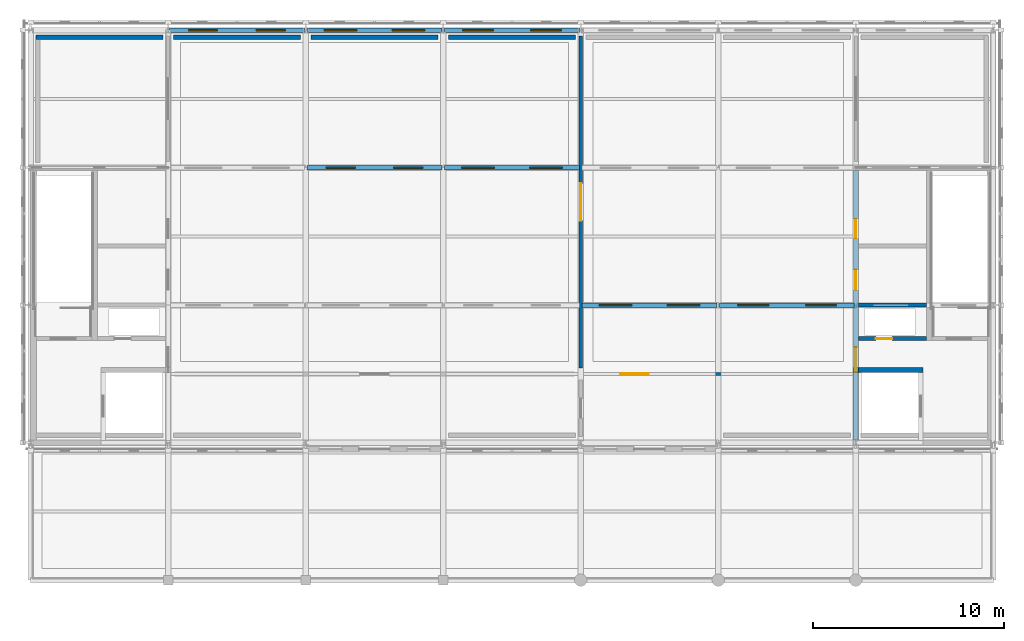
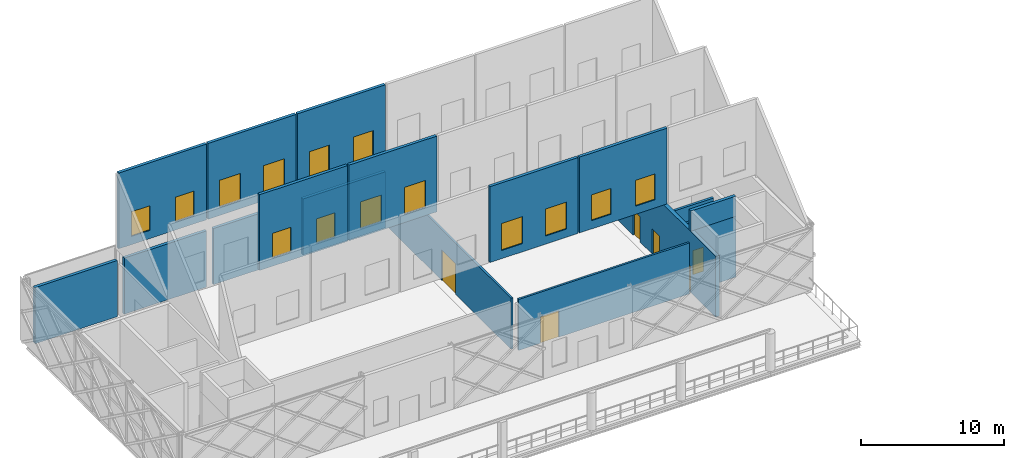
# One storey, part 28 of 31: 18 walls, 14 windows, 6 doors, 20 openings.
"""IFC4 building model written with IfcOpenShell, lengths in metres."""

from ifc_helpers import new_model, si_unit, direction, frame, frame_2d, origin, place, context, subcontext, project, spatial, rectangle, extrude, material, layer, layer_set, type_object, element, fill, save


model = new_model("IFC4")

# Units and contexts
model_context = context("Model", 3, precision=1e-05, world=origin(), true_north=direction((0.0, 1.0)))
body_context = subcontext(model_context, "Body", "Model", "MODEL_VIEW")
ifc_project = project(units=[si_unit("LENGTHUNIT", "METRE"), si_unit("AREAUNIT", "SQUARE_METRE"), si_unit("VOLUMEUNIT", "CUBIC_METRE"), si_unit("PLANEANGLEUNIT", "RADIAN"), si_unit("MASSUNIT", "GRAM", prefix="KILO")], contexts=[model_context])

# Site, building, storey
site_placement = place(None, origin())
site = spatial("IfcSite", under=ifc_project, at=site_placement, CompositionType="ELEMENT")
building_placement = place(site_placement, origin())
building = spatial("IfcBuilding", under=site, at=building_placement, Name="Zlatovets Crest Museum", CompositionType="ELEMENT")
storey_placement = place(building_placement, frame((0.0, 0.0, 25.199951171875)))
storey = spatial("IfcBuildingStorey", under=building, at=storey_placement, Name="L05", CompositionType="ELEMENT", Elevation=25.199951171875)

# Wall, openings, doors
ifc_material_1 = material(Name="Concrete C35/45", Category="concrete")
ifc_layer_1 = layer(ifc_material_1, 0.300048828125)
ifc_layer_set_1 = layer_set([ifc_layer_1], Name="Concrete C35/45")
wall_type_1 = type_object("IfcWallType", Name="CoreWall_SW01", PredefinedType="SHEAR", material=ifc_layer_set_1)
wall_1_placement = place(storey_placement, frame((100.800048828125, 93.75, 0.0), z_axis=(0.0, 0.0, 1.0), x_axis=(0.0, 1.0, 0.0)))
wall_1 = element("IfcWall", 1, at=wall_1_placement, inside=storey, type_object=wall_type_1, Name="Core C6 L05 Spine Shear Wall", PredefinedType="SHEAR", context=body_context, shape_type="SweptSolid", body=[
    extrude(rectangle(XDim=14.10009765625, YDim=0.300048828125, at=frame_2d((7.050048828125, 0.0))), origin(), (0.0, 0.0, 1.0), 5.179931640625),
])
opening_1_placement = place(wall_1_placement, frame((3.550048828125, 0.0, 0.0)))
opening_1 = element("IfcOpeningElement", 2, at=opening_1_placement, cuts=wall_1, Name="Opening FD-01", PredefinedType="OPENING", context=body_context, shape_type="SweptSolid", body=[
    extrude(rectangle(XDim=1.300048828125, YDim=2.199951171875, at=frame_2d((0.64990234375, 1.10009765625))), frame((0.0, 0.16015625, 0.0), z_axis=(0.0, -1.0, 0.0), x_axis=(1.0, 0.0, 0.0)), (0.0, 0.0, 1.0), 0.320068359375),
])
opening_2_placement = place(wall_1_placement, frame((7.85009765625, 0.0, 0.0)))
opening_2 = element("IfcOpeningElement", 3, at=opening_2_placement, cuts=wall_1, Name="Opening ID-02", PredefinedType="OPENING", context=body_context, shape_type="SweptSolid", body=[
    extrude(rectangle(XDim=1.050048828125, YDim=2.14990234375, at=frame_2d((0.52490234375, 1.074951171875))), frame((0.0, 0.16015625, 0.0), z_axis=(0.0, -1.0, 0.0), x_axis=(1.0, 0.0, 0.0)), (0.0, 0.0, 1.0), 0.320068359375),
])
opening_3_placement = place(wall_1_placement, frame((10.550048828125, 0.0, 0.0)))
opening_3 = element("IfcOpeningElement", 4, at=opening_3_placement, cuts=wall_1, Name="Opening ID-01", PredefinedType="OPENING", context=body_context, shape_type="SweptSolid", body=[
    extrude(rectangle(XDim=1.0, YDim=2.14990234375, at=frame_2d((0.5, 1.074951171875))), frame((0.0, 0.16015625, 0.0), z_axis=(0.0, -1.0, 0.0), x_axis=(1.0, 0.0, 0.0)), (0.0, 0.0, 1.0), 0.320068359375),
])
ifc_material_2 = material(Name="Smoke-sealed steel fire door", Category="steel")
door_type_1 = type_object("IfcDoorType", Name="IntDoor_FD-01", OperationType="NOTDEFINED", PredefinedType="DOOR", material=ifc_material_2)
door_1_placement = place(opening_1_placement, origin())
door_1 = element("IfcDoor", 5, at=door_1_placement, inside=storey, type_object=door_type_1, Name="CDOOR-C6-L05-LOB Core C6 L05 Lobby Fire Door", OperationType="SINGLE_SWING_LEFT", OverallHeight=2.199951171875, OverallWidth=1.300048828125, PredefinedType="DOOR", context=body_context, shape_type="SweptSolid", body=[
    extrude(rectangle(XDim=1.300048828125, YDim=2.199951171875, at=frame_2d((0.64990234375, 1.10009765625))), frame((0.0, 0.02490234375, 0.0), z_axis=(0.0, -1.0, 0.0), x_axis=(1.0, 0.0, 0.0)), (0.0, 0.0, 1.0), 0.050048828125),
])
fill(opening_1, door_1)
ifc_material_3 = material(Name="Solid oak museum room door")
door_type_2 = type_object("IfcDoorType", Name="IntDoor_ID-01", OperationType="NOTDEFINED", PredefinedType="DOOR", material=ifc_material_3)
door_2_placement = place(opening_3_placement, origin())
door_2 = element("IfcDoor", 6, at=door_2_placement, inside=storey, type_object=door_type_2, Name="CDOOR-C6-L05-WC Core C6 L05 Public Restroom Door", OperationType="SINGLE_SWING_RIGHT", OverallHeight=2.14990234375, OverallWidth=1.0, PredefinedType="DOOR", context=body_context, shape_type="SweptSolid", body=[
    extrude(rectangle(XDim=1.0, YDim=2.14990234375, at=frame_2d((0.5, 1.074951171875))), frame((0.0, 0.02490234375, 0.0), z_axis=(0.0, -1.0, 0.0), x_axis=(1.0, 0.0, 0.0)), (0.0, 0.0, 1.0), 0.050048828125),
])
fill(opening_3, door_2)
ifc_material_4 = material(Name="Accessible sanitary room door")
door_type_3 = type_object("IfcDoorType", Name="IntDoor_ID-02", OperationType="NOTDEFINED", PredefinedType="DOOR", material=ifc_material_4)
door_3_placement = place(opening_2_placement, origin())
door_3 = element("IfcDoor", 7, at=door_3_placement, inside=storey, type_object=door_type_3, Name="CDOOR-C6-L05-AWC Core C6 L05 Accessible WC Door", OperationType="SINGLE_SWING_LEFT", OverallHeight=2.14990234375, OverallWidth=1.050048828125, PredefinedType="DOOR", context=body_context, shape_type="SweptSolid", body=[
    extrude(rectangle(XDim=1.050048828125, YDim=2.14990234375, at=frame_2d((0.52490234375, 1.074951171875))), frame((0.0, 0.02490234375, 0.0), z_axis=(0.0, -1.0, 0.0), x_axis=(1.0, 0.0, 0.0)), (0.0, 0.0, 1.0), 0.050048828125),
])
fill(opening_2, door_3)

# Walls
ifc_layer_2 = layer(ifc_material_1, 0.25)
ifc_layer_set_2 = layer_set([ifc_layer_2], Name="Concrete C35/45")
wall_type_2 = type_object("IfcWallType", Name="CoreWall_SW02", PredefinedType="SHEAR", material=ifc_layer_set_2)
wall_2_placement = place(storey_placement, frame((100.949951171875, 97.39990234375, 0.0), z_axis=(0.0, 0.0, 1.0), x_axis=(1.0, 0.0, 0.0)))
element("IfcWall", 8, at=wall_2_placement, inside=storey, type_object=wall_type_2, Name="Core C6 L05 Lift Shaft North Shear Wall", PredefinedType="SHEAR", context=body_context, shape_type="SweptSolid", body=[
    extrude(rectangle(XDim=3.375, YDim=0.25, at=frame_2d((1.6875, 0.0))), origin(), (0.0, 0.0, 1.0), 5.179931640625),
])
wall_3_placement = place(storey_placement, frame((104.324951171875, 97.39990234375, 5.179931640625), z_axis=(0.0, 0.0, 1.0), x_axis=(-1.0, 0.0, 0.0)))
element("IfcWall", 9, at=wall_3_placement, inside=storey, type_object=wall_type_2, Name="Lift FL2 Overrun Wall N", PredefinedType="SHEAR", context=body_context, shape_type="SweptSolid", body=[
    extrude(rectangle(XDim=3.64990234375, YDim=0.25, at=frame_2d((1.824951171875, 0.0))), origin(), (0.0, 0.0, 1.0), 1.72021484375),
])
ifc_material_5 = material(Name="Insulated gallery conservation liner wall", Category="concrete")
ifc_layer_3 = layer(ifc_material_5, 0.300048828125)
ifc_layer_set_3 = layer_set([ifc_layer_3], Name="Insulated gallery conservation liner wall")
wall_type_3 = type_object("IfcWallType", Name="ExtWall_EW-02", PredefinedType="STANDARD", material=ifc_layer_set_3)
wall_4_placement = place(storey_placement, frame((86.1201171875, 114.820068359375, 0.0), z_axis=(0.0, 0.0, 1.0), x_axis=(-1.0, 0.0, 0.0)))
element("IfcWall", 10, at=wall_4_placement, inside=storey, type_object=wall_type_3, Name="V1 L05 Interior Conservation Gallery Liner Wall", PredefinedType="STANDARD", context=body_context, shape_type="SweptSolid", body=[
    extrude(rectangle(XDim=6.64013671875, YDim=0.239990234375, at=frame_2d((3.320068359375, 0.0))), origin(), (0.0, 0.0, 1.0), 4.780029296875),
])
for number, where, z_axis, x_axis, name in (
    (11, (78.919921875, 114.820068359375, 0.0), (0.0, 0.0, 1.0), (-1.0, 0.0, 0.0), "V1 L05 Interior Conservation Gallery Liner Wall"),
    (12, (71.719970703125, 114.820068359375, 0.0), (0.0, 0.0, 1.0), (-1.0, 0.0, 0.0), "V1 L05 Interior Conservation Gallery Liner Wall"),
):
    element("IfcWall", number, at=place(storey_placement, frame(where, z_axis=z_axis, x_axis=x_axis)), inside=storey, type_object=wall_type_3, Name=name, PredefinedType="STANDARD", context=body_context, shape_type="SweptSolid", body=[
        extrude(rectangle(XDim=6.639892578125, YDim=0.239990234375, at=frame_2d((3.31982421875, 0.0))), origin(), (0.0, 0.0, 1.0), 4.780029296875),
    ])
wall_5_placement = place(storey_placement, frame((64.52001953125, 114.820068359375, 0.0), z_axis=(0.0, 0.0, 1.0), x_axis=(-1.0, 0.0, 0.0)))
element("IfcWall", 13, at=wall_5_placement, inside=storey, type_object=wall_type_3, Name="V1 L05 Interior Conservation Gallery Liner Wall", PredefinedType="STANDARD", context=body_context, shape_type="SweptSolid", body=[
    extrude(rectangle(XDim=6.64013671875, YDim=0.239990234375, at=frame_2d((3.320068359375, 0.0))), origin(), (0.0, 0.0, 1.0), 4.780029296875),
])

# Wall, openings, windows
ifc_material_6 = material(Name="Copper-zinc insulated clerestory and vault tympanum wall", Category="steel")
ifc_layer_4 = layer(ifc_material_6, 0.260009765625)
ifc_layer_set_4 = layer_set([ifc_layer_4], Name="Copper-zinc insulated clerestory and vault tympanum wall")
wall_type_4 = type_object("IfcWallType", Name="ExtWall_EW-04", PredefinedType="STANDARD", material=ifc_layer_set_4)
wall_6_placement = place(storey_placement, frame((93.5400390625, 100.800048828125, 5.420166015625), z_axis=(0.0, 0.0, 1.0), x_axis=(-1.0, 0.0, 0.0)))
wall_6 = element("IfcWall", 14, at=wall_6_placement, inside=storey, type_object=wall_type_4, Name="V1 Tooth 1 North-Light Clerestory Wall Bay 4", PredefinedType="STANDARD", context=body_context, shape_type="SweptSolid", body=[
    extrude(rectangle(XDim=7.080078125, YDim=0.239990234375, at=frame_2d((3.5400390625, 0.0))), origin(), (0.0, 0.0, 1.0), 6.4599609375),
])
opening_4_placement = place(wall_6_placement, frame((0.919921875, 0.0, 0.699951171875)))
opening_4 = element("IfcOpeningElement", 15, at=opening_4_placement, cuts=wall_6, Name="Opening RL-NL5", PredefinedType="OPENING", context=body_context, shape_type="SweptSolid", body=[
    extrude(rectangle(XDim=1.699951171875, YDim=2.300048828125, at=frame_2d((0.85009765625, 1.14990234375))), frame((0.0, 0.1298828125, 0.0), z_axis=(0.0, -1.0, 0.0), x_axis=(1.0, 0.0, 0.0)), (0.0, 0.0, 1.0), 0.260009765625),
])
opening_5_placement = place(wall_6_placement, frame((4.4599609375, 0.0, 0.699951171875)))
opening_5 = element("IfcOpeningElement", 16, at=opening_5_placement, cuts=wall_6, Name="Opening RL-NL5", PredefinedType="OPENING", context=body_context, shape_type="SweptSolid", body=[
    extrude(rectangle(XDim=1.699951171875, YDim=2.300048828125, at=frame_2d((0.85009765625, 1.14990234375))), frame((0.0, 0.1298828125, 0.0), z_axis=(0.0, -1.0, 0.0), x_axis=(1.0, 0.0, 0.0)), (0.0, 0.0, 1.0), 0.260009765625),
])
ifc_material_7 = material(Name="Bronze-anodised aluminium frame with low-E triple glass", Category="aluminium")
window_type_1 = type_object("IfcWindowType", Name="Win_RL-NL5", PartitioningType="SINGLE_PANEL", PredefinedType="SKYLIGHT", material=ifc_material_7)
window_1_placement = place(opening_4_placement, origin())
window_1 = element("IfcWindow", 17, at=window_1_placement, inside=storey, type_object=window_type_1, Name="Rooflight V1 Tooth 1 Bay 4.1", OverallHeight=2.300048828125, OverallWidth=1.699951171875, PartitioningType="SINGLE_PANEL", PredefinedType="SKYLIGHT", context=body_context, shape_type="SweptSolid", body=[
    extrude(rectangle(XDim=1.699951171875, YDim=2.300048828125, at=frame_2d((0.85009765625, 1.14990234375))), frame((0.0, 0.030029296875, 0.0), z_axis=(0.0, -1.0, 0.0), x_axis=(1.0, 0.0, 0.0)), (0.0, 0.0, 1.0), 0.06005859375),
])
fill(opening_4, window_1)
window_2_placement = place(opening_5_placement, origin())
window_2 = element("IfcWindow", 18, at=window_2_placement, inside=storey, type_object=window_type_1, Name="Rooflight V1 Tooth 1 Bay 4.2", OverallHeight=2.300048828125, OverallWidth=1.699951171875, PartitioningType="SINGLE_PANEL", PredefinedType="SKYLIGHT", context=body_context, shape_type="SweptSolid", body=[
    extrude(rectangle(XDim=1.699951171875, YDim=2.300048828125, at=frame_2d((0.85009765625, 1.14990234375))), frame((0.0, 0.030029296875, 0.0), z_axis=(0.0, -1.0, 0.0), x_axis=(1.0, 0.0, 0.0)), (0.0, 0.0, 1.0), 0.06005859375),
])
fill(opening_5, window_2)

wall_7_placement = place(storey_placement, frame((100.739990234375, 100.800048828125, 5.420166015625), z_axis=(0.0, 0.0, 1.0), x_axis=(-1.0, 0.0, 0.0)))
wall_7 = element("IfcWall", 19, at=wall_7_placement, inside=storey, type_object=wall_type_4, Name="V1 Tooth 1 North-Light Clerestory Wall Bay 5", PredefinedType="STANDARD", context=body_context, shape_type="SweptSolid", body=[
    extrude(rectangle(XDim=7.080078125, YDim=0.239990234375, at=frame_2d((3.5400390625, 0.0))), origin(), (0.0, 0.0, 1.0), 6.4599609375),
])
opening_6_placement = place(wall_7_placement, frame((0.969970703125, 0.0, 0.699951171875)))
opening_6 = element("IfcOpeningElement", 20, at=opening_6_placement, cuts=wall_7, Name="Opening RL-NL1", PredefinedType="OPENING", context=body_context, shape_type="SweptSolid", body=[
    extrude(rectangle(XDim=1.60009765625, YDim=2.199951171875, at=frame_2d((0.800048828125, 1.10009765625))), frame((0.0, 0.1298828125, 0.0), z_axis=(0.0, -1.0, 0.0), x_axis=(1.0, 0.0, 0.0)), (0.0, 0.0, 1.0), 0.260009765625),
])
opening_7_placement = place(wall_7_placement, frame((4.510009765625, 0.0, 0.699951171875)))
opening_7 = element("IfcOpeningElement", 21, at=opening_7_placement, cuts=wall_7, Name="Opening RL-NL1", PredefinedType="OPENING", context=body_context, shape_type="SweptSolid", body=[
    extrude(rectangle(XDim=1.60009765625, YDim=2.199951171875, at=frame_2d((0.800048828125, 1.10009765625))), frame((0.0, 0.1298828125, 0.0), z_axis=(0.0, -1.0, 0.0), x_axis=(1.0, 0.0, 0.0)), (0.0, 0.0, 1.0), 0.260009765625),
])
window_type_2 = type_object("IfcWindowType", Name="Win_RL-NL1", PartitioningType="SINGLE_PANEL", PredefinedType="SKYLIGHT", material=ifc_material_7)
window_3_placement = place(opening_6_placement, origin())
window_3 = element("IfcWindow", 22, at=window_3_placement, inside=storey, type_object=window_type_2, Name="Rooflight V1 Tooth 1 Bay 5.1", OverallHeight=2.199951171875, OverallWidth=1.60009765625, PartitioningType="SINGLE_PANEL", PredefinedType="SKYLIGHT", context=body_context, shape_type="SweptSolid", body=[
    extrude(rectangle(XDim=1.60009765625, YDim=2.199951171875, at=frame_2d((0.800048828125, 1.10009765625))), frame((0.0, 0.030029296875, 0.0), z_axis=(0.0, -1.0, 0.0), x_axis=(1.0, 0.0, 0.0)), (0.0, 0.0, 1.0), 0.06005859375),
])
fill(opening_6, window_3)
window_4_placement = place(opening_7_placement, origin())
window_4 = element("IfcWindow", 23, at=window_4_placement, inside=storey, type_object=window_type_2, Name="Rooflight V1 Tooth 1 Bay 5.2", OverallHeight=2.199951171875, OverallWidth=1.60009765625, PartitioningType="SINGLE_PANEL", PredefinedType="SKYLIGHT", context=body_context, shape_type="SweptSolid", body=[
    extrude(rectangle(XDim=1.60009765625, YDim=2.199951171875, at=frame_2d((0.800048828125, 1.10009765625))), frame((0.0, 0.030029296875, 0.0), z_axis=(0.0, -1.0, 0.0), x_axis=(1.0, 0.0, 0.0)), (0.0, 0.0, 1.0), 0.06005859375),
])
fill(opening_7, window_4)

wall_8_placement = place(storey_placement, frame((79.139892578125, 108.0, 5.420166015625), z_axis=(0.0, 0.0, 1.0), x_axis=(-1.0, 0.0, 0.0)))
wall_8 = element("IfcWall", 24, at=wall_8_placement, inside=storey, type_object=wall_type_4, Name="V1 Tooth 2 North-Light Clerestory Wall Bay 2", PredefinedType="STANDARD", context=body_context, shape_type="SweptSolid", body=[
    extrude(rectangle(XDim=7.079833984375, YDim=0.239990234375, at=frame_2d((3.5400390625, 0.0))), origin(), (0.0, 0.0, 1.0), 6.4599609375),
])
opening_8_placement = place(wall_8_placement, frame((1.02001953125, 0.0, 0.699951171875)))
opening_8 = element("IfcOpeningElement", 25, at=opening_8_placement, cuts=wall_8, Name="Opening RL-NL4", PredefinedType="OPENING", context=body_context, shape_type="SweptSolid", body=[
    extrude(rectangle(XDim=1.5, YDim=2.10009765625, at=frame_2d((0.75, 1.050048828125))), frame((0.0, 0.1298828125, 0.0), z_axis=(0.0, -1.0, 0.0), x_axis=(1.0, 0.0, 0.0)), (0.0, 0.0, 1.0), 0.260009765625),
])
opening_9_placement = place(wall_8_placement, frame((4.56005859375, 0.0, 0.699951171875)))
opening_9 = element("IfcOpeningElement", 26, at=opening_9_placement, cuts=wall_8, Name="Opening RL-NL4", PredefinedType="OPENING", context=body_context, shape_type="SweptSolid", body=[
    extrude(rectangle(XDim=1.5, YDim=2.10009765625, at=frame_2d((0.75, 1.050048828125))), frame((0.0, 0.1298828125, 0.0), z_axis=(0.0, -1.0, 0.0), x_axis=(1.0, 0.0, 0.0)), (0.0, 0.0, 1.0), 0.260009765625),
])
window_type_3 = type_object("IfcWindowType", Name="Win_RL-NL4", PartitioningType="SINGLE_PANEL", PredefinedType="SKYLIGHT", material=ifc_material_7)
window_5_placement = place(opening_8_placement, origin())
window_5 = element("IfcWindow", 27, at=window_5_placement, inside=storey, type_object=window_type_3, Name="Rooflight V1 Tooth 2 Bay 2.1", OverallHeight=2.10009765625, OverallWidth=1.5, PartitioningType="SINGLE_PANEL", PredefinedType="SKYLIGHT", context=body_context, shape_type="SweptSolid", body=[
    extrude(rectangle(XDim=1.5, YDim=2.10009765625, at=frame_2d((0.75, 1.050048828125))), frame((0.0, 0.030029296875, 0.0), z_axis=(0.0, -1.0, 0.0), x_axis=(1.0, 0.0, 0.0)), (0.0, 0.0, 1.0), 0.06005859375),
])
fill(opening_8, window_5)
window_6_placement = place(opening_9_placement, origin())
window_6 = element("IfcWindow", 28, at=window_6_placement, inside=storey, type_object=window_type_3, Name="Rooflight V1 Tooth 2 Bay 2.2", OverallHeight=2.10009765625, OverallWidth=1.5, PartitioningType="SINGLE_PANEL", PredefinedType="SKYLIGHT", context=body_context, shape_type="SweptSolid", body=[
    extrude(rectangle(XDim=1.5, YDim=2.10009765625, at=frame_2d((0.75, 1.050048828125))), frame((0.0, 0.030029296875, 0.0), z_axis=(0.0, -1.0, 0.0), x_axis=(1.0, 0.0, 0.0)), (0.0, 0.0, 1.0), 0.06005859375),
])
fill(opening_9, window_6)

wall_9_placement = place(storey_placement, frame((86.340087890625, 108.0, 5.420166015625), z_axis=(0.0, 0.0, 1.0), x_axis=(-1.0, 0.0, 0.0)))
wall_9 = element("IfcWall", 29, at=wall_9_placement, inside=storey, type_object=wall_type_4, Name="V1 Tooth 2 North-Light Clerestory Wall Bay 3", PredefinedType="STANDARD", context=body_context, shape_type="SweptSolid", body=[
    extrude(rectangle(XDim=7.080078125, YDim=0.239990234375, at=frame_2d((3.5400390625, 0.0))), origin(), (0.0, 0.0, 1.0), 6.4599609375),
])
opening_10_placement = place(wall_9_placement, frame((0.919921875, 0.0, 0.699951171875)))
opening_10 = element("IfcOpeningElement", 30, at=opening_10_placement, cuts=wall_9, Name="Opening RL-NL5", PredefinedType="OPENING", context=body_context, shape_type="SweptSolid", body=[
    extrude(rectangle(XDim=1.699951171875, YDim=2.300048828125, at=frame_2d((0.85009765625, 1.14990234375))), frame((0.0, 0.1298828125, 0.0), z_axis=(0.0, -1.0, 0.0), x_axis=(1.0, 0.0, 0.0)), (0.0, 0.0, 1.0), 0.260009765625),
])
opening_11_placement = place(wall_9_placement, frame((4.4599609375, 0.0, 0.699951171875)))
opening_11 = element("IfcOpeningElement", 31, at=opening_11_placement, cuts=wall_9, Name="Opening RL-NL5", PredefinedType="OPENING", context=body_context, shape_type="SweptSolid", body=[
    extrude(rectangle(XDim=1.699951171875, YDim=2.300048828125, at=frame_2d((0.85009765625, 1.14990234375))), frame((0.0, 0.1298828125, 0.0), z_axis=(0.0, -1.0, 0.0), x_axis=(1.0, 0.0, 0.0)), (0.0, 0.0, 1.0), 0.260009765625),
])
window_7_placement = place(opening_10_placement, origin())
window_7 = element("IfcWindow", 32, at=window_7_placement, inside=storey, type_object=window_type_1, Name="Rooflight V1 Tooth 2 Bay 3.1", OverallHeight=2.300048828125, OverallWidth=1.699951171875, PartitioningType="SINGLE_PANEL", PredefinedType="SKYLIGHT", context=body_context, shape_type="SweptSolid", body=[
    extrude(rectangle(XDim=1.699951171875, YDim=2.300048828125, at=frame_2d((0.85009765625, 1.14990234375))), frame((0.0, 0.030029296875, 0.0), z_axis=(0.0, -1.0, 0.0), x_axis=(1.0, 0.0, 0.0)), (0.0, 0.0, 1.0), 0.06005859375),
])
fill(opening_10, window_7)
window_8_placement = place(opening_11_placement, origin())
window_8 = element("IfcWindow", 33, at=window_8_placement, inside=storey, type_object=window_type_1, Name="Rooflight V1 Tooth 2 Bay 3.2", OverallHeight=2.300048828125, OverallWidth=1.699951171875, PartitioningType="SINGLE_PANEL", PredefinedType="SKYLIGHT", context=body_context, shape_type="SweptSolid", body=[
    extrude(rectangle(XDim=1.699951171875, YDim=2.300048828125, at=frame_2d((0.85009765625, 1.14990234375))), frame((0.0, 0.030029296875, 0.0), z_axis=(0.0, -1.0, 0.0), x_axis=(1.0, 0.0, 0.0)), (0.0, 0.0, 1.0), 0.06005859375),
])
fill(opening_11, window_8)

wall_10_placement = place(storey_placement, frame((71.93994140625, 115.199951171875, 5.420166015625), z_axis=(0.0, 0.0, 1.0), x_axis=(-1.0, 0.0, 0.0)))
wall_10 = element("IfcWall", 34, at=wall_10_placement, inside=storey, type_object=wall_type_4, Name="V1 Tooth 3 North-Light Clerestory Wall Bay 1", PredefinedType="STANDARD", context=body_context, shape_type="SweptSolid", body=[
    extrude(rectangle(XDim=7.079833984375, YDim=0.239990234375, at=frame_2d((3.5400390625, 0.0))), origin(), (0.0, 0.0, 1.0), 6.4599609375),
])
opening_12_placement = place(wall_10_placement, frame((1.02001953125, 0.0, 0.699951171875)))
opening_12 = element("IfcOpeningElement", 35, at=opening_12_placement, cuts=wall_10, Name="Opening RL-NL4", PredefinedType="OPENING", context=body_context, shape_type="SweptSolid", body=[
    extrude(rectangle(XDim=1.5, YDim=2.10009765625, at=frame_2d((0.75, 1.050048828125))), frame((0.0, 0.1298828125, 0.0), z_axis=(0.0, -1.0, 0.0), x_axis=(1.0, 0.0, 0.0)), (0.0, 0.0, 1.0), 0.260009765625),
])
opening_13_placement = place(wall_10_placement, frame((4.56005859375, 0.0, 0.699951171875)))
opening_13 = element("IfcOpeningElement", 36, at=opening_13_placement, cuts=wall_10, Name="Opening RL-NL4", PredefinedType="OPENING", context=body_context, shape_type="SweptSolid", body=[
    extrude(rectangle(XDim=1.5, YDim=2.10009765625, at=frame_2d((0.75, 1.050048828125))), frame((0.0, 0.1298828125, 0.0), z_axis=(0.0, -1.0, 0.0), x_axis=(1.0, 0.0, 0.0)), (0.0, 0.0, 1.0), 0.260009765625),
])
window_9_placement = place(opening_12_placement, origin())
window_9 = element("IfcWindow", 37, at=window_9_placement, inside=storey, type_object=window_type_3, Name="Rooflight V1 Tooth 3 Bay 1.1", OverallHeight=2.10009765625, OverallWidth=1.5, PartitioningType="SINGLE_PANEL", PredefinedType="SKYLIGHT", context=body_context, shape_type="SweptSolid", body=[
    extrude(rectangle(XDim=1.5, YDim=2.10009765625, at=frame_2d((0.75, 1.050048828125))), frame((0.0, 0.030029296875, 0.0), z_axis=(0.0, -1.0, 0.0), x_axis=(1.0, 0.0, 0.0)), (0.0, 0.0, 1.0), 0.06005859375),
])
fill(opening_12, window_9)
window_10_placement = place(opening_13_placement, origin())
window_10 = element("IfcWindow", 38, at=window_10_placement, inside=storey, type_object=window_type_3, Name="Rooflight V1 Tooth 3 Bay 1.2", OverallHeight=2.10009765625, OverallWidth=1.5, PartitioningType="SINGLE_PANEL", PredefinedType="SKYLIGHT", context=body_context, shape_type="SweptSolid", body=[
    extrude(rectangle(XDim=1.5, YDim=2.10009765625, at=frame_2d((0.75, 1.050048828125))), frame((0.0, 0.030029296875, 0.0), z_axis=(0.0, -1.0, 0.0), x_axis=(1.0, 0.0, 0.0)), (0.0, 0.0, 1.0), 0.06005859375),
])
fill(opening_13, window_10)

wall_11_placement = place(storey_placement, frame((79.139892578125, 115.199951171875, 5.420166015625), z_axis=(0.0, 0.0, 1.0), x_axis=(-1.0, 0.0, 0.0)))
wall_11 = element("IfcWall", 39, at=wall_11_placement, inside=storey, type_object=wall_type_4, Name="V1 Tooth 3 North-Light Clerestory Wall Bay 2", PredefinedType="STANDARD", context=body_context, shape_type="SweptSolid", body=[
    extrude(rectangle(XDim=7.079833984375, YDim=0.239990234375, at=frame_2d((3.5400390625, 0.0))), origin(), (0.0, 0.0, 1.0), 6.4599609375),
])
opening_14_placement = place(wall_11_placement, frame((0.919921875, 0.0, 0.699951171875)))
opening_14 = element("IfcOpeningElement", 40, at=opening_14_placement, cuts=wall_11, Name="Opening RL-NL5", PredefinedType="OPENING", context=body_context, shape_type="SweptSolid", body=[
    extrude(rectangle(XDim=1.699951171875, YDim=2.300048828125, at=frame_2d((0.85009765625, 1.14990234375))), frame((0.0, 0.1298828125, 0.0), z_axis=(0.0, -1.0, 0.0), x_axis=(1.0, 0.0, 0.0)), (0.0, 0.0, 1.0), 0.260009765625),
])
opening_15_placement = place(wall_11_placement, frame((4.4599609375, 0.0, 0.699951171875)))
opening_15 = element("IfcOpeningElement", 41, at=opening_15_placement, cuts=wall_11, Name="Opening RL-NL5", PredefinedType="OPENING", context=body_context, shape_type="SweptSolid", body=[
    extrude(rectangle(XDim=1.699951171875, YDim=2.300048828125, at=frame_2d((0.85009765625, 1.14990234375))), frame((0.0, 0.1298828125, 0.0), z_axis=(0.0, -1.0, 0.0), x_axis=(1.0, 0.0, 0.0)), (0.0, 0.0, 1.0), 0.260009765625),
])
window_11_placement = place(opening_14_placement, origin())
window_11 = element("IfcWindow", 42, at=window_11_placement, inside=storey, type_object=window_type_1, Name="Rooflight V1 Tooth 3 Bay 2.1", OverallHeight=2.300048828125, OverallWidth=1.699951171875, PartitioningType="SINGLE_PANEL", PredefinedType="SKYLIGHT", context=body_context, shape_type="SweptSolid", body=[
    extrude(rectangle(XDim=1.699951171875, YDim=2.300048828125, at=frame_2d((0.85009765625, 1.14990234375))), frame((0.0, 0.030029296875, 0.0), z_axis=(0.0, -1.0, 0.0), x_axis=(1.0, 0.0, 0.0)), (0.0, 0.0, 1.0), 0.06005859375),
])
fill(opening_14, window_11)
window_12_placement = place(opening_15_placement, origin())
window_12 = element("IfcWindow", 43, at=window_12_placement, inside=storey, type_object=window_type_1, Name="Rooflight V1 Tooth 3 Bay 2.2", OverallHeight=2.300048828125, OverallWidth=1.699951171875, PartitioningType="SINGLE_PANEL", PredefinedType="SKYLIGHT", context=body_context, shape_type="SweptSolid", body=[
    extrude(rectangle(XDim=1.699951171875, YDim=2.300048828125, at=frame_2d((0.85009765625, 1.14990234375))), frame((0.0, 0.030029296875, 0.0), z_axis=(0.0, -1.0, 0.0), x_axis=(1.0, 0.0, 0.0)), (0.0, 0.0, 1.0), 0.06005859375),
])
fill(opening_15, window_12)

wall_12_placement = place(storey_placement, frame((86.340087890625, 115.199951171875, 5.420166015625), z_axis=(0.0, 0.0, 1.0), x_axis=(-1.0, 0.0, 0.0)))
wall_12 = element("IfcWall", 44, at=wall_12_placement, inside=storey, type_object=wall_type_4, Name="V1 Tooth 3 North-Light Clerestory Wall Bay 3", PredefinedType="STANDARD", context=body_context, shape_type="SweptSolid", body=[
    extrude(rectangle(XDim=7.080078125, YDim=0.239990234375, at=frame_2d((3.5400390625, 0.0))), origin(), (0.0, 0.0, 1.0), 6.4599609375),
])
opening_16_placement = place(wall_12_placement, frame((0.969970703125, 0.0, 0.699951171875)))
opening_16 = element("IfcOpeningElement", 45, at=opening_16_placement, cuts=wall_12, Name="Opening RL-NL1", PredefinedType="OPENING", context=body_context, shape_type="SweptSolid", body=[
    extrude(rectangle(XDim=1.60009765625, YDim=2.199951171875, at=frame_2d((0.800048828125, 1.10009765625))), frame((0.0, 0.1298828125, 0.0), z_axis=(0.0, -1.0, 0.0), x_axis=(1.0, 0.0, 0.0)), (0.0, 0.0, 1.0), 0.260009765625),
])
opening_17_placement = place(wall_12_placement, frame((4.510009765625, 0.0, 0.699951171875)))
opening_17 = element("IfcOpeningElement", 46, at=opening_17_placement, cuts=wall_12, Name="Opening RL-NL1", PredefinedType="OPENING", context=body_context, shape_type="SweptSolid", body=[
    extrude(rectangle(XDim=1.60009765625, YDim=2.199951171875, at=frame_2d((0.800048828125, 1.10009765625))), frame((0.0, 0.1298828125, 0.0), z_axis=(0.0, -1.0, 0.0), x_axis=(1.0, 0.0, 0.0)), (0.0, 0.0, 1.0), 0.260009765625),
])
window_13_placement = place(opening_16_placement, origin())
window_13 = element("IfcWindow", 47, at=window_13_placement, inside=storey, type_object=window_type_2, Name="Rooflight V1 Tooth 3 Bay 3.1", OverallHeight=2.199951171875, OverallWidth=1.60009765625, PartitioningType="SINGLE_PANEL", PredefinedType="SKYLIGHT", context=body_context, shape_type="SweptSolid", body=[
    extrude(rectangle(XDim=1.60009765625, YDim=2.199951171875, at=frame_2d((0.800048828125, 1.10009765625))), frame((0.0, 0.030029296875, 0.0), z_axis=(0.0, -1.0, 0.0), x_axis=(1.0, 0.0, 0.0)), (0.0, 0.0, 1.0), 0.06005859375),
])
fill(opening_16, window_13)
window_14_placement = place(opening_17_placement, origin())
window_14 = element("IfcWindow", 48, at=window_14_placement, inside=storey, type_object=window_type_2, Name="Rooflight V1 Tooth 3 Bay 3.2", OverallHeight=2.199951171875, OverallWidth=1.60009765625, PartitioningType="SINGLE_PANEL", PredefinedType="SKYLIGHT", context=body_context, shape_type="SweptSolid", body=[
    extrude(rectangle(XDim=1.60009765625, YDim=2.199951171875, at=frame_2d((0.800048828125, 1.10009765625))), frame((0.0, 0.030029296875, 0.0), z_axis=(0.0, -1.0, 0.0), x_axis=(1.0, 0.0, 0.0)), (0.0, 0.0, 1.0), 0.06005859375),
])
fill(opening_17, window_14)

# Wall, opening, door
ifc_material_8 = material(Name="Acoustic museum gallery stud partition")
ifc_layer_5 = layer(ifc_material_8, 0.159912109375)
ifc_layer_set_5 = layer_set([ifc_layer_5], Name="Acoustic museum gallery stud partition")
wall_type_5 = type_object("IfcWallType", Name="PartWall_PT-02", PredefinedType="PARTITIONING", material=ifc_layer_set_5)
wall_13_placement = place(storey_placement, frame((86.39990234375, 97.52001953125, 0.0), z_axis=(0.0, 0.0, 1.0), x_axis=(0.0, 1.0, 0.0)))
wall_13 = element("IfcWall", 49, at=wall_13_placement, inside=storey, type_object=wall_type_5, Name="V1 L05 Interior Partition PT-02", PredefinedType="PARTITIONING", context=body_context, shape_type="SweptSolid", body=[
    extrude(rectangle(XDim=17.35986328125, YDim=0.159912109375, at=frame_2d((8.679931640625, 0.0))), origin(), (0.0, 0.0, 1.0), 4.35009765625),
])
opening_18_placement = place(wall_13_placement, frame((7.705078125, 0.0, 0.0)))
opening_18 = element("IfcOpeningElement", 50, at=opening_18_placement, cuts=wall_13, Name="Opening ID-26", PredefinedType="OPENING", context=body_context, shape_type="SweptSolid", body=[
    extrude(rectangle(XDim=1.949951171875, YDim=2.60009765625, at=frame_2d((0.97509765625, 1.300048828125))), frame((0.0, 0.08984375, 0.0), z_axis=(0.0, -1.0, 0.0), x_axis=(1.0, 0.0, 0.0)), (0.0, 0.0, 1.0), 0.179931640625),
])
ifc_material_9 = material(Name="Belvedere gallery double portal")
door_type_4 = type_object("IfcDoorType", Name="IntDoor_ID-26", OperationType="DOUBLE_DOOR_SINGLE_SWING", PredefinedType="DOOR", material=ifc_material_9)
door_4_placement = place(opening_18_placement, origin())
door_4 = element("IfcDoor", 51, at=door_4_placement, inside=storey, type_object=door_type_4, Name="IDOOR-V1-L05-0227 Top-Lit North-Light Masterworks Gallery to Top-Lit Graphic and Drawing Cabinet Door", OperationType="DOUBLE_DOOR_SINGLE_SWING", OverallHeight=2.60009765625, OverallWidth=1.949951171875, PredefinedType="DOOR", context=body_context, shape_type="SweptSolid", body=[
    extrude(rectangle(XDim=1.949951171875, YDim=2.60009765625, at=frame_2d((0.97509765625, 1.300048828125))), frame((0.0, 0.02490234375, 0.0), z_axis=(0.0, -1.0, 0.0), x_axis=(1.0, 0.0, 0.0)), (0.0, 0.0, 1.0), 0.050048828125),
])
fill(opening_18, door_4)

wall_14_placement = place(storey_placement, frame((86.719970703125, 97.199951171875, 0.0), z_axis=(0.0, 0.0, 1.0), x_axis=(1.0, 0.0, 0.0)))
wall_14 = element("IfcWall", 52, at=wall_14_placement, inside=storey, type_object=wall_type_5, Name="V1 L05 Interior Partition PT-02", PredefinedType="PARTITIONING", context=body_context, shape_type="SweptSolid", body=[
    extrude(rectangle(XDim=13.760009765625, YDim=0.159912109375, at=frame_2d((6.8798828125, 0.0))), origin(), (0.0, 0.0, 1.0), 4.35009765625),
])
opening_19_placement = place(wall_14_placement, frame((1.751708984375, 0.0, 0.0)))
opening_19 = element("IfcOpeningElement", 53, at=opening_19_placement, cuts=wall_14, Name="Opening FD-02", PredefinedType="OPENING", context=body_context, shape_type="SweptSolid", body=[
    extrude(rectangle(XDim=1.5, YDim=2.25, at=frame_2d((0.75, 1.125))), frame((0.0, 0.08984375, 0.0), z_axis=(0.0, -1.0, 0.0), x_axis=(1.0, 0.0, 0.0)), (0.0, 0.0, 1.0), 0.179931640625),
])
ifc_material_10 = material(Name="Double corridor compartment fire door")
door_type_5 = type_object("IfcDoorType", Name="IntDoor_FD-02", OperationType="DOUBLE_DOOR_SINGLE_SWING", PredefinedType="DOOR", material=ifc_material_10)
door_5_placement = place(opening_19_placement, origin())
door_5 = element("IfcDoor", 54, at=door_5_placement, inside=storey, type_object=door_type_5, Name="IDOOR-V1-L05-0230 Top-Lit Graphic and Drawing Cabinet to Crest Belvedere Reading Room Door", OperationType="DOUBLE_DOOR_SINGLE_SWING", OverallHeight=2.25, OverallWidth=1.5, PredefinedType="DOOR", context=body_context, shape_type="SweptSolid", body=[
    extrude(rectangle(XDim=1.5, YDim=2.25, at=frame_2d((0.75, 1.125))), frame((0.0, 0.02490234375, 0.0), z_axis=(0.0, -1.0, 0.0), x_axis=(1.0, 0.0, 0.0)), (0.0, 0.0, 1.0), 0.050048828125),
])
fill(opening_19, door_5)

ifc_material_11 = material(Name="Sanitary core acoustic service wall")
ifc_layer_6 = layer(ifc_material_11, 0.219970703125)
ifc_layer_set_6 = layer_set([ifc_layer_6], Name="Sanitary core acoustic service wall")
wall_type_6 = type_object("IfcWallType", Name="PartWall_PT-04", PredefinedType="PLUMBINGWALL", material=ifc_layer_set_6)
wall_15_placement = place(storey_placement, frame((100.949951171875, 99.050048828125, 0.0), z_axis=(0.0, 0.0, 1.0), x_axis=(1.0, 0.0, 0.0)))
wall_15 = element("IfcWall", 55, at=wall_15_placement, inside=storey, type_object=wall_type_6, Name="Core C6 L05 Riser Lobby Wall", PredefinedType="PLUMBINGWALL", context=body_context, shape_type="SweptSolid", body=[
    extrude(rectangle(XDim=3.550048828125, YDim=0.199951171875, at=frame_2d((1.77490234375, 0.0))), origin(), (0.0, 0.0, 1.0), 4.60009765625),
])
opening_20_placement = place(wall_15_placement, frame((0.89990234375, 0.0, 0.0)))
opening_20 = element("IfcOpeningElement", 56, at=opening_20_placement, cuts=wall_15, Name="Opening FD-03", PredefinedType="OPENING", context=body_context, shape_type="SweptSolid", body=[
    extrude(rectangle(XDim=0.85009765625, YDim=2.050048828125, at=frame_2d((0.425048828125, 1.02490234375))), frame((0.0, 0.10986328125, 0.0), z_axis=(0.0, -1.0, 0.0), x_axis=(1.0, 0.0, 0.0)), (0.0, 0.0, 1.0), 0.219970703125),
])
ifc_material_12 = material(Name="Steel riser shaft access fire door", Category="steel")
door_type_6 = type_object("IfcDoorType", Name="IntDoor_FD-03", OperationType="NOTDEFINED", PredefinedType="TRAPDOOR", material=ifc_material_12)
door_6_placement = place(opening_20_placement, origin())
door_6 = element("IfcDoor", 57, at=door_6_placement, inside=storey, type_object=door_type_6, Name="CDOOR-C6-L05-RIS Core C6 L05 Riser Access Door", OperationType="SINGLE_SWING_RIGHT", OverallHeight=2.050048828125, OverallWidth=0.85009765625, PredefinedType="TRAPDOOR", context=body_context, shape_type="SweptSolid", body=[
    extrude(rectangle(XDim=0.85009765625, YDim=2.050048828125, at=frame_2d((0.425048828125, 1.02490234375))), frame((0.0, 0.02490234375, 0.0), z_axis=(0.0, -1.0, 0.0), x_axis=(1.0, 0.0, 0.0)), (0.0, 0.0, 1.0), 0.050048828125),
])
fill(opening_20, door_6)

# Wall
wall_16_placement = place(storey_placement, frame((100.949951171875, 100.800048828125, 0.0), z_axis=(0.0, 0.0, 1.0), x_axis=(1.0, 0.0, 0.0)))
element("IfcWall", 58, at=wall_16_placement, inside=storey, type_object=wall_type_6, Name="Core C6 L05 Sanitary Divider", PredefinedType="PLUMBINGWALL", context=body_context, shape_type="SweptSolid", body=[
    extrude(rectangle(XDim=3.550048828125, YDim=0.199951171875, at=frame_2d((1.77490234375, 0.0))), origin(), (0.0, 0.0, 1.0), 4.60009765625),
])

save(model, "model.ifc")
